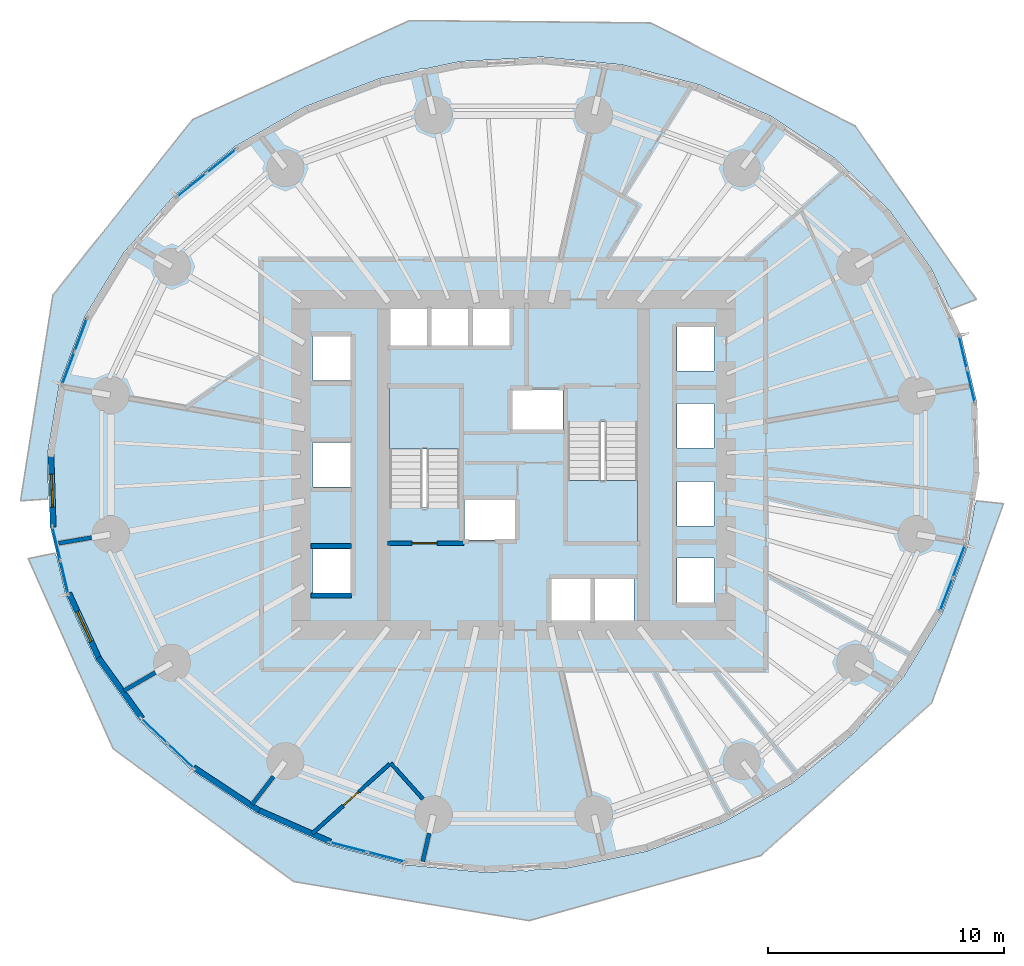
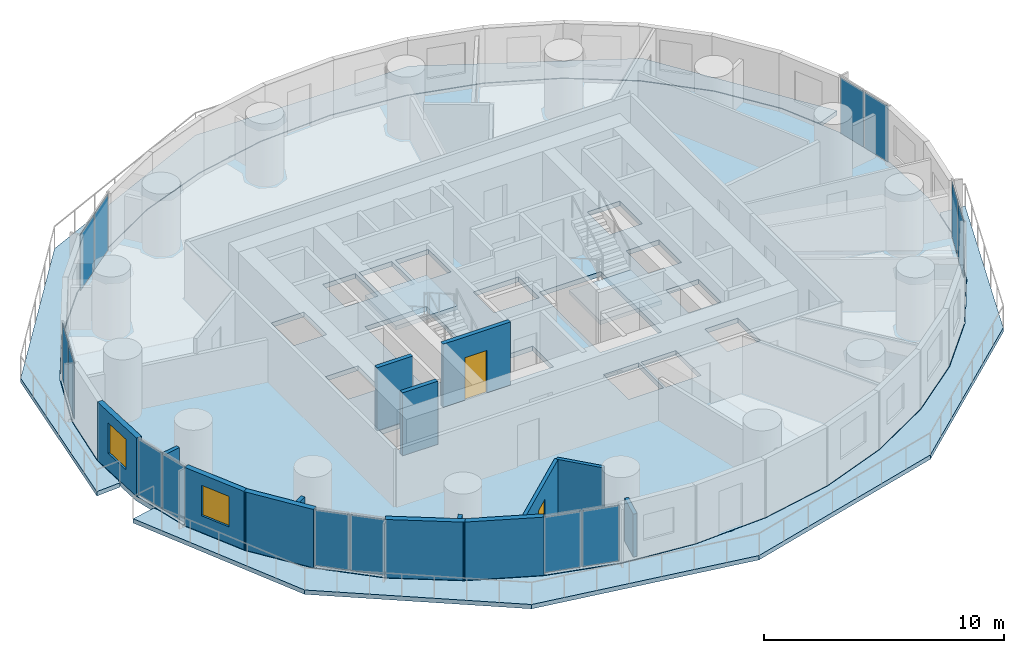
# One storey, part 6 of 14: 14 plates, 14 walls, 5 slabs, 2 doors, 2 windows, 4 openings, 9 elements without a shape of their own.
"""IFC4 building model written with IfcOpenShell, lengths in metres."""

import ifcopenshell
import ifcopenshell.guid

model = None  # the IFC model being written
_history = None  # IfcOwnerHistory: only IFC2X3 demands one
_inside = {}  # id of a spatial element -> (the spatial element, [elements in it])
_under = {}  # id of a project, library or spatial element -> (it, [spatial elements below it])
_declared = {}  # id of a project -> (the project, [libraries it declares])
_typed = {}  # id of a type object -> (the type object, [elements of that type])
_made_of = {}  # id of a material, layer set ... -> (it, [elements and type objects made of it])


def new_model(schema):
    """Start an empty IFC model of exactly this schema.

    Asked for "IFC4X3", IfcOpenShell would pick the latest addendum, in which some entities
    have other attributes; the version numbers below select the first issue.
    IFC2X3 requires an IfcOwnerHistory on every rooted entity: one is made here for all.
    """
    global model, _history
    if schema == "IFC4X3":
        model = ifcopenshell.file(schema_version=(4, 3, 0, 0))
    else:
        model = ifcopenshell.file(schema=schema)
    _inside.clear()
    _under.clear()
    _declared.clear()
    _typed.clear()
    _made_of.clear()
    _history = None
    if model.schema == "IFC2X3":
        org = make("IfcOrganization", Name="unknown")
        user = make(
            "IfcPersonAndOrganization",
            ThePerson=make("IfcPerson", FamilyName="unknown"),
            TheOrganization=org,
        )
        app = make(
            "IfcApplication",
            ApplicationDeveloper=org,
            Version="unknown",
            ApplicationFullName="unknown",
            ApplicationIdentifier="unknown",
        )
        _history = make(
            "IfcOwnerHistory",
            OwningUser=user,
            OwningApplication=app,
            ChangeAction="ADDED",
            CreationDate=0,
        )
    return model


def make(cls, **values):
    """One entity of the class cls with the attributes given. An attribute that is None is left unset."""
    return model.create_entity(
        cls, **{name: value for name, value in values.items() if value is not None}
    )


def rooted(cls, **values):
    """An entity with a GlobalId (a new one), such as an element, a storey or a relation."""
    return make(cls, GlobalId=ifcopenshell.guid.new(), OwnerHistory=_history, **values)


def si_unit(unit_type, name, prefix=None):
    """IfcSIUnit, for example si_unit("LENGTHUNIT", "METRE", prefix="MILLI")."""
    return make("IfcSIUnit", UnitType=unit_type, Prefix=prefix, Name=name)


def assignment(units):
    """IfcUnitAssignment: the units of a project."""
    return None if units is None else make("IfcUnitAssignment", Units=units)


def point(xyz):
    """IfcCartesianPoint."""
    return None if xyz is None else make("IfcCartesianPoint", Coordinates=xyz)


def direction(xyz):
    """IfcDirection."""
    return None if xyz is None else make("IfcDirection", DirectionRatios=xyz)


def frame(location, z_axis=None, x_axis=None):
    """IfcAxis2Placement3D, a coordinate frame: its origin and axes. An axis left out is left unset."""
    return make(
        "IfcAxis2Placement3D",
        Location=point(location),
        Axis=direction(z_axis),
        RefDirection=direction(x_axis),
    )


def frame_2d(location, x_axis=None):
    """IfcAxis2Placement2D, a coordinate frame in the plane: its origin and x axis."""
    return make(
        "IfcAxis2Placement2D", Location=point(location), RefDirection=direction(x_axis)
    )


def origin():
    """The frame at (0, 0, 0) with its axes left unset."""
    return frame((0.0, 0.0, 0.0))


def origin_2d():
    """The frame at (0, 0) in the plane with its x axis left unset."""
    return frame_2d((0.0, 0.0))


def place(relative_to, where):
    """IfcLocalPlacement: puts the frame where relative to a parent placement (None: the world)."""
    return make(
        "IfcLocalPlacement", PlacementRelTo=relative_to, RelativePlacement=where
    )


def context(
    kind, dimensions, precision=None, world=None, true_north=None, identifier=None
):
    """IfcGeometricRepresentationContext, for example the 3D "Model" context."""
    return make(
        "IfcGeometricRepresentationContext",
        ContextIdentifier=identifier,
        ContextType=kind,
        CoordinateSpaceDimension=dimensions,
        Precision=precision,
        WorldCoordinateSystem=world,
        TrueNorth=true_north,
    )


def subcontext(parent, identifier, kind, view, scale=None):
    """IfcGeometricRepresentationSubContext, for example "Body" below "Model"."""
    return make(
        "IfcGeometricRepresentationSubContext",
        ContextIdentifier=identifier,
        ContextType=kind,
        ParentContext=parent,
        TargetScale=scale,
        TargetView=view,
    )


def project(units=None, contexts=None):
    """IfcProject with its units and contexts."""
    return rooted(
        "IfcProject",
        Name="project",
        RepresentationContexts=contexts,
        UnitsInContext=assignment(units),
    )


def spatial(cls, under=None, at=None, **own):
    """A site, building, storey or space (cls), placed at a placement, below another one or the project."""
    s = rooted(cls, ObjectPlacement=at, **own)
    if under is not None:
        _under.setdefault(under.id(), (under, []))[1].append(s)
    return s


def polyline(points):
    """IfcPolyline through the points."""
    return make("IfcPolyline", Points=[point(p) for p in points])


def profile(cls, at=None, kind="AREA", **sizes):
    """A parametric profile (cls). Its sizes go by their IFC names, for example OverallWidth=200.0."""
    return make(cls, ProfileType=kind, Position=at, **sizes)


def rectangle(**sizes):
    """IfcRectangleProfileDef."""
    return profile("IfcRectangleProfileDef", **sizes)


def outline(outer, holes=None, kind="AREA"):
    """IfcArbitraryClosedProfileDef: a profile drawn as a closed curve; with holes, ...WithVoids."""
    if holes is None:
        return make("IfcArbitraryClosedProfileDef", ProfileType=kind, OuterCurve=outer)
    return make(
        "IfcArbitraryProfileDefWithVoids",
        ProfileType=kind,
        OuterCurve=outer,
        InnerCurves=holes,
    )


def extrude(swept, where, along, depth):
    """IfcExtrudedAreaSolid: the profile swept, set in the frame where, extruded along a direction by depth."""
    return make(
        "IfcExtrudedAreaSolid",
        SweptArea=swept,
        Position=where,
        ExtrudedDirection=direction(along),
        Depth=depth,
    )


def shape(context_of_items, identifier, shape_type, items):
    """IfcShapeRepresentation: the items that make up one representation, for example the "Body"."""
    return make(
        "IfcShapeRepresentation",
        ContextOfItems=context_of_items,
        RepresentationIdentifier=identifier,
        RepresentationType=shape_type,
        Items=items,
    )


def material(Name=None, Category=None):
    """IfcMaterial."""
    return make("IfcMaterial", Name=Name, Category=Category)


def layer(
    of_material, thickness, ventilated=None, Name=None, Category=None, Priority=None
):
    """IfcMaterialLayer: one layer of a wall or slab, of a material (None: an air gap)."""
    return make(
        "IfcMaterialLayer",
        Material=of_material,
        LayerThickness=thickness,
        IsVentilated=ventilated,
        Name=Name,
        Category=Category,
        Priority=Priority,
    )


def layer_set(layers, Name=None):
    """IfcMaterialLayerSet."""
    return make("IfcMaterialLayerSet", MaterialLayers=layers, LayerSetName=Name)


def made_of(thing, what):
    """Note that an element or type object is made of a material, layer set ...; save() writes the relation."""
    if what is not None:
        _made_of.setdefault(what.id(), (what, []))[1].append(thing)
    return thing


def type_object(cls, material=None, **own):
    """A type object (cls), such as IfcWallType, which elements share."""
    return made_of(rooted(cls, **own), material)


def element(
    cls,
    number,
    at=None,
    inside=None,
    cuts=None,
    type_object=None,
    material=None,
    context=None,
    identifier="Body",
    shape_type=None,
    held_by="IfcProductDefinitionShape",
    body=None,
    shapes=None,
    **own,
):
    """One element of the class cls, such as IfcWall. Its Tag is "e" and its number.

    at: its placement. inside: the storey or other place that contains it. cuts: it is an
    opening in that element (IfcRelVoidsElement). A single representation is given by context,
    identifier, shape_type and body (its items); several are given by shapes. held_by: the class
    of the entity that holds the representations. save() writes the other relations.
    """
    e = rooted(cls, Tag="e%d" % number, ObjectPlacement=at, **own)
    if body is not None:
        shapes = [shape(context, identifier, shape_type, body)]
    if shapes is not None:
        e.Representation = make(held_by, Representations=shapes)
    if inside is not None:
        _inside.setdefault(inside.id(), (inside, []))[1].append(e)
    if cuts is not None:
        rooted(
            "IfcRelVoidsElement", RelatingBuildingElement=cuts, RelatedOpeningElement=e
        )
    if type_object is not None:
        _typed.setdefault(type_object.id(), (type_object, []))[1].append(e)
    return made_of(e, material)


def fill(opening, filler):
    """IfcRelFillsElement: the door or window that sits in an opening."""
    return rooted(
        "IfcRelFillsElement",
        RelatingOpeningElement=opening,
        RelatedBuildingElement=filler,
    )


def aggregate(whole, parts):
    """IfcRelAggregates: a whole, such as a stair, and the parts it consists of."""
    return rooted("IfcRelAggregates", RelatingObject=whole, RelatedObjects=parts)


def save(model, path):
    """Write the relations noted so far, then the file.

    IfcRelAggregates (storeys below a building ...), IfcRelContainedInSpatialStructure (elements
    in a storey), IfcRelDefinesByType, IfcRelAssociatesMaterial and IfcRelDeclares: one each for
    every whole, place, type object, material and project.
    """
    for whole, parts in _under.values():
        aggregate(whole, parts)
    for where, things in _inside.values():
        rooted(
            "IfcRelContainedInSpatialStructure",
            RelatedElements=things,
            RelatingStructure=where,
        )
    for kind, things in _typed.values():
        rooted("IfcRelDefinesByType", RelatedObjects=things, RelatingType=kind)
    for what, things in _made_of.values():
        rooted("IfcRelAssociatesMaterial", RelatedObjects=things, RelatingMaterial=what)
    for by, libraries in _declared.values():
        rooted("IfcRelDeclares", RelatingContext=by, RelatedDefinitions=libraries)
    model.write(path)


model = new_model("IFC4")

# Units and contexts
model_context = context("Model", 3, precision=1e-05, world=origin(), true_north=direction((0.0, 1.0)))
body_context = subcontext(model_context, "Body", "Model", "MODEL_VIEW")
ifc_project = project(units=[si_unit("LENGTHUNIT", "METRE"), si_unit("AREAUNIT", "SQUARE_METRE"), si_unit("VOLUMEUNIT", "CUBIC_METRE"), si_unit("PLANEANGLEUNIT", "RADIAN"), si_unit("MASSUNIT", "GRAM", prefix="KILO")], contexts=[model_context])

# Site, building, storey
site_placement = place(None, origin())
site = spatial("IfcSite", under=ifc_project, at=site_placement, CompositionType="ELEMENT")
building_placement = place(site_placement, origin())
building = spatial("IfcBuilding", under=site, at=building_placement, Name="Veldorim Arch Residences", CompositionType="ELEMENT")
storey_placement = place(building_placement, frame((0.0, 0.0, 34.39990234375)))
storey = spatial("IfcBuildingStorey", under=building, at=storey_placement, Name="L09", CompositionType="ELEMENT", Elevation=34.39990234375)

# Slabs
ifc_material_1 = material(Name="Concrete C40/50", Category="concrete")
ifc_layer_1 = layer(ifc_material_1, 0.219970703125, Name="Planted Crescent Cantilever Balcony Slab 220")
ifc_layer_set_1 = layer_set([ifc_layer_1], Name="Concrete C40/50")
slab_type_1 = type_object("IfcSlabType", Name="Planted Crescent Cantilever Balcony Slab 220", PredefinedType="FLOOR", material=ifc_layer_set_1)
slab_1_placement = place(storey_placement, frame((0.0, 0.0, -0.219970703125)))
element("IfcSlab", 1, at=slab_1_placement, inside=storey, type_object=slab_type_1, Name="L09 planted crescent balcony slab A", PredefinedType="FLOOR", context=body_context, shape_type="SweptSolid", body=[
    extrude(outline(polyline([(50.406494140625, 30.739013671875), (49.69189453125, 32.292236328125), (47.8857421875, 34.797607421875), (45.596923828125, 36.97509765625), (42.89501953125, 38.7578125), (39.8623046875, 40.09228515625), (36.591064453125, 40.93798828125), (33.180419921875, 41.268798828125), (29.73388671875, 41.075439453125), (28.247802734375, 40.761962890625), (28.050048828125, 40.76171875), (27.86962890625, 40.682373046875), (26.356201171875, 40.36328125), (23.149658203125, 39.154052734375), (20.212158203125, 37.484375), (17.632568359375, 35.405029296875), (15.489501953125, 32.979248046875), (13.84765625, 30.2802734375), (12.7578125, 27.390380859375), (12.252197265625, 24.397216796875), (12.3046875, 22.734619140625), (12.264404296875, 22.548095703125), (11.11669921875, 22.47412109375), (12.486083984375, 31.179931640625), (18.40283203125, 38.614990234375), (27.594970703125, 42.811767578125), (37.791748046875, 42.710205078125), (46.4658203125, 38.35107421875), (51.596435546875, 31.006591796875), (50.525390625, 30.588134765625), (50.406494140625, 30.739013671875)])), origin(), (0.0, 0.0, 1.0), 0.219970703125),
])
slab_2_placement = place(storey_placement, frame((0.0, 0.0, -0.219970703125)))
element("IfcSlab", 2, at=slab_2_placement, inside=storey, type_object=slab_type_1, Name="L09 planted crescent balcony slab B", PredefinedType="FLOOR", context=body_context, shape_type="SweptSolid", body=[
    extrude(outline(polyline([(12.656494140625, 20.08447265625), (13.03955078125, 18.465576171875), (14.30810546875, 15.707763671875), (16.1142578125, 13.202392578125), (18.403076171875, 11.02490234375), (21.10498046875, 9.2421875), (24.1376953125, 7.90771484375), (27.408935546875, 7.06201171875), (30.819580078125, 6.731201171875), (32.364013671875, 6.81787109375), (32.55908203125, 6.7880859375), (32.750244140625, 6.839599609375), (34.26611328125, 6.924560546875), (37.643798828125, 7.63671875), (40.850341796875, 8.845947265625), (43.787841796875, 10.515625), (46.367431640625, 12.594970703125), (48.510498046875, 15.020751953125), (50.15234375, 17.7197265625), (51.2421875, 20.609619140625), (51.527099609375, 22.295654296875), (51.602294921875, 22.471923828125), (52.74560546875, 22.34765625), (49.70849609375, 13.9189453125), (42.4716796875, 7.4482421875), (32.654541015625, 4.6904296875), (22.685791015625, 6.34423828125), (15.03466796875, 11.978759765625), (11.441650390625, 20.02587890625), (12.56884765625, 20.253662109375), (12.656494140625, 20.08447265625)])), origin(), (0.0, 0.0, 1.0), 0.219970703125),
])

# Stair, slab
ifc_material_2 = material(Name="Concrete C40/50", Category="concrete")
stair_type = type_object("IfcStairType", Name="Reinforced Concrete Dogleg Exit Staircase", PredefinedType="HALF_TURN_STAIR", material=ifc_material_2)
stair_1_placement = place(storey_placement, origin())
stair_1 = element("IfcStair", 3, at=stair_1_placement, inside=storey, type_object=stair_type, Name="L09 Exit Staircase ST-1", PredefinedType="HALF_TURN_STAIR")
ifc_material_3 = material(Name="Concrete C40/50", Category="concrete")
ifc_layer_2 = layer(ifc_material_3, 0.199951171875, Name="Reinforced Concrete Stair Landing 200")
ifc_layer_set_2 = layer_set([ifc_layer_2], Name="Concrete C40/50")
slab_type_2 = type_object("IfcSlabType", Name="Reinforced Concrete Stair Landing 200", PredefinedType="LANDING", material=ifc_layer_set_2)
slab_3_placement = place(storey_placement, frame((0.0, 0.0, 1.400146484375)))
slab_3 = element("IfcSlab", 4, at=slab_3_placement, type_object=slab_type_2, Name="ST-1 landing 1", PredefinedType="LANDING", context=body_context, shape_type="SweptSolid", body=[
    extrude(outline(polyline([(29.7099609375, 24.669921875), (29.7099609375, 27.25), (26.75, 27.25), (26.75, 24.669921875), (29.7099609375, 24.669921875)])), origin(), (0.0, 0.0, 1.0), 0.199951171875),
])
aggregate(stair_1, [slab_3])

stair_2_placement = place(storey_placement, origin())
stair_2 = element("IfcStair", 5, at=stair_2_placement, inside=storey, type_object=stair_type, Name="L09 Exit Staircase ST-2", PredefinedType="HALF_TURN_STAIR")
slab_4_placement = place(storey_placement, frame((0.0, 0.0, 1.400146484375)))
slab_4 = element("IfcSlab", 6, at=slab_4_placement, type_object=slab_type_2, Name="ST-2 landing 1", PredefinedType="LANDING", context=body_context, shape_type="SweptSolid", body=[
    extrude(outline(polyline([(34.2900390625, 23.330078125), (34.2900390625, 20.75), (37.25, 20.75), (37.25, 23.330078125), (34.2900390625, 23.330078125)])), origin(), (0.0, 0.0, 1.0), 0.199951171875),
])
aggregate(stair_2, [slab_4])

# Slab
ifc_material_4 = material(Name="Concrete C40/50", Category="concrete")
ifc_layer_3 = layer(ifc_material_4, 0.239990234375, Name="Typical Residential Floor Slab 240")
ifc_layer_set_3 = layer_set([ifc_layer_3], Name="Concrete C40/50")
slab_type_3 = type_object("IfcSlabType", Name="Typical Residential Floor Slab 240", PredefinedType="FLOOR", material=ifc_layer_set_3)
slab_5_placement = place(storey_placement, frame((0.0, 0.0, -0.239990234375)))
element("IfcSlab", 7, at=slab_5_placement, inside=storey, type_object=slab_type_3, Name="L09 tower structural floor slab", PredefinedType="FLOOR", context=body_context, shape_type="SweptSolid", body=[
    extrude(outline(polyline([(51.6279296875, 26.60498046875), (50.936767578125, 29.526123046875), (49.670166015625, 32.279541015625), (47.86669921875, 34.78125), (45.581298828125, 36.955322265625), (42.883056640625, 38.73583984375), (39.854248046875, 40.068603515625), (36.586669921875, 40.9130859375), (33.1796875, 41.243896484375), (29.737060546875, 41.050537109375), (26.363037109375, 40.339111328125), (23.160400390625, 39.13134765625), (20.226318359375, 37.463623046875), (17.64990234375, 35.386962890625), (15.509521484375, 32.96435546875), (13.870361328125, 30.269287109375), (12.781982421875, 27.3837890625), (12.27734375, 24.3955078125), (12.3720703125, 21.39501953125), (13.063232421875, 18.473876953125), (14.329833984375, 15.720458984375), (16.13330078125, 13.21875), (18.418701171875, 11.044677734375), (21.116943359375, 9.26416015625), (24.145751953125, 7.931396484375), (27.413330078125, 7.0869140625), (30.8203125, 6.756103515625), (34.262939453125, 6.949462890625), (37.636962890625, 7.660888671875), (40.839599609375, 8.86865234375), (43.773681640625, 10.536376953125), (46.35009765625, 12.613037109375), (48.490478515625, 15.03564453125), (50.129638671875, 17.730712890625), (51.218017578125, 20.6162109375), (51.72265625, 23.6044921875), (51.6279296875, 26.60498046875)]), holes=[polyline([(23.510009765625, 20.43994140625), (25.090087890625, 20.43994140625), (25.090087890625, 18.56005859375), (23.510009765625, 18.56005859375), (23.510009765625, 20.43994140625)]), polyline([(29.909912109375, 22.544921875), (32.090087890625, 22.544921875), (32.090087890625, 20.81494140625), (29.909912109375, 20.81494140625), (29.909912109375, 22.544921875)]), polyline([(23.510009765625, 24.93994140625), (25.090087890625, 24.93994140625), (25.090087890625, 23.06005859375), (23.510009765625, 23.06005859375), (23.510009765625, 24.93994140625)]), polyline([(26.75, 27.25), (29.7099609375, 27.25), (29.7099609375, 22.195068359375), (26.75, 22.195068359375), (26.75, 27.25)]), polyline([(23.510009765625, 29.43994140625), (25.090087890625, 29.43994140625), (25.090087890625, 27.56005859375), (23.510009765625, 27.56005859375), (23.510009765625, 29.43994140625)]), polyline([(26.760009765625, 30.7900390625), (28.340087890625, 30.7900390625), (28.340087890625, 28.909912109375), (26.760009765625, 28.909912109375), (26.760009765625, 30.7900390625)]), polyline([(28.510009765625, 30.7900390625), (30.090087890625, 30.7900390625), (30.090087890625, 28.909912109375), (28.510009765625, 28.909912109375), (28.510009765625, 30.7900390625)]), polyline([(30.260009765625, 30.7900390625), (31.840087890625, 30.7900390625), (31.840087890625, 28.909912109375), (30.260009765625, 28.909912109375), (30.260009765625, 30.7900390625)]), polyline([(33.610107421875, 19.2900390625), (35.2900390625, 19.2900390625), (35.2900390625, 17.2099609375), (33.610107421875, 17.2099609375), (33.610107421875, 19.2900390625)]), polyline([(35.409912109375, 19.2900390625), (37.090087890625, 19.2900390625), (37.090087890625, 17.2099609375), (35.409912109375, 17.2099609375), (35.409912109375, 19.2900390625)]), polyline([(38.909912109375, 20.0400390625), (40.489990234375, 20.0400390625), (40.489990234375, 18.159912109375), (38.909912109375, 18.159912109375), (38.909912109375, 20.0400390625)]), polyline([(38.909912109375, 23.2900390625), (40.489990234375, 23.2900390625), (40.489990234375, 21.409912109375), (38.909912109375, 21.409912109375), (38.909912109375, 23.2900390625)]), polyline([(34.2900390625, 25.804931640625), (37.25, 25.804931640625), (37.25, 20.75), (34.2900390625, 20.75), (34.2900390625, 25.804931640625)]), polyline([(38.909912109375, 26.590087890625), (40.489990234375, 26.590087890625), (40.489990234375, 24.7099609375), (38.909912109375, 24.7099609375), (38.909912109375, 26.590087890625)]), polyline([(31.909912109375, 27.18505859375), (34.090087890625, 27.18505859375), (34.090087890625, 25.455078125), (31.909912109375, 25.455078125), (31.909912109375, 27.18505859375)]), polyline([(38.909912109375, 29.840087890625), (40.489990234375, 29.840087890625), (40.489990234375, 27.9599609375), (38.909912109375, 27.9599609375), (38.909912109375, 29.840087890625)])]), origin(), (0.0, 0.0, 1.0), 0.239990234375),
])

# Curtain wall, plates
ifc_material_5 = material(Name="Aluminium", Category="aluminium")
curtain_wall_type = type_object("IfcCurtainWallType", Name="Zone 1 Acoustic Low-E Unitised Curtain Wall", PredefinedType="NOTDEFINED", material=ifc_material_5)
curtain_wall_1_placement = place(storey_placement, origin())
curtain_wall_1 = element("IfcCurtainWall", 8, at=curtain_wall_1_placement, inside=storey, type_object=curtain_wall_type, Name="L09 unitised curtain wall bay 01", PredefinedType="NOTDEFINED")
ifc_material_6 = material(Name="Laminated Low-E Glass", Category="glass")
ifc_layer_4 = layer(ifc_material_6, 0.02587890625, Name="Zone 1 Acoustic Low-E Unitised Curtain Wall Glazing Panel 26")
ifc_layer_set_4 = layer_set([ifc_layer_4], Name="Laminated Low-E Glass")
plate_type = type_object("IfcPlateType", Name="Zone 1 Acoustic Low-E Unitised Curtain Wall Glazing Panel 26", PredefinedType="CURTAIN_PANEL", material=ifc_layer_set_4)
plate_1_placement = place(storey_placement, frame((51.025634765625, 28.75927734375, 0.06494140625), z_axis=(0.0, 0.0, 1.0), x_axis=(0.230257196808, -0.973129808051, 0.0)))
plate_1 = element("IfcPlate", 9, at=plate_1_placement, type_object=plate_type, Name="CW-Z1 panel 1.1", PredefinedType="CURTAIN_PANEL", context=body_context, shape_type="SweptSolid", body=[
    extrude(rectangle(XDim=1.4033203125, YDim=0.02587890625, at=origin_2d()), origin(), (0.0, 0.0, 1.0), 2.830078125),
])
plate_2_placement = place(storey_placement, frame((51.36376953125, 27.330322265625, 0.06494140625), z_axis=(0.0, 0.0, 1.0), x_axis=(0.230257196808, -0.973129808051, 0.0)))
plate_2 = element("IfcPlate", 10, at=plate_2_placement, type_object=plate_type, Name="CW-Z1 panel 2.1", PredefinedType="CURTAIN_PANEL", context=body_context, shape_type="SweptSolid", body=[
    extrude(rectangle(XDim=1.4033203125, YDim=0.02587890625, at=origin_2d()), origin(), (0.0, 0.0, 1.0), 2.830078125),
])
aggregate(curtain_wall_1, [plate_1, plate_2])

curtain_wall_2_placement = place(storey_placement, origin())
curtain_wall_2 = element("IfcCurtainWall", 11, at=curtain_wall_2_placement, inside=storey, type_object=curtain_wall_type, Name="L09 unitised curtain wall bay 13", PredefinedType="NOTDEFINED")
plate_3_placement = place(storey_placement, frame((18.363037109375, 35.84619140625, 0.06494140625), z_axis=(0.0, 0.0, 1.0), x_axis=(0.77856687477, 0.627561647578, 0.0)))
plate_3 = element("IfcPlate", 12, at=plate_3_placement, type_object=plate_type, Name="CW-Z1 panel 1.1", PredefinedType="CURTAIN_PANEL", context=body_context, shape_type="SweptSolid", body=[
    extrude(rectangle(XDim=1.55712890625, YDim=0.02587890625, at=origin_2d()), origin(), (0.0, 0.0, 1.0), 2.830078125),
])
plate_4_placement = place(storey_placement, frame((19.6259765625, 36.8642578125, 0.06494140625), z_axis=(0.0, 0.0, 1.0), x_axis=(0.77856687477, 0.627561647578, 0.0)))
plate_4 = element("IfcPlate", 13, at=plate_4_placement, type_object=plate_type, Name="CW-Z1 panel 2.1", PredefinedType="CURTAIN_PANEL", context=body_context, shape_type="SweptSolid", body=[
    extrude(rectangle(XDim=1.55712890625, YDim=0.02587890625, at=origin_2d()), origin(), (0.0, 0.0, 1.0), 2.830078125),
])
aggregate(curtain_wall_2, [plate_3, plate_4])

curtain_wall_3_placement = place(storey_placement, origin())
curtain_wall_3 = element("IfcCurtainWall", 14, at=curtain_wall_3_placement, inside=storey, type_object=curtain_wall_type, Name="L09 unitised curtain wall bay 16", PredefinedType="NOTDEFINED")
plate_5_placement = place(storey_placement, frame((13.14404296875, 28.088623046875, 0.06494140625), z_axis=(0.0, 0.0, 1.0), x_axis=(0.352913725454, 0.9356558675, 0.0)))
plate_5 = element("IfcPlate", 15, at=plate_5_placement, type_object=plate_type, Name="CW-Z1 panel 1.1", PredefinedType="CURTAIN_PANEL", context=body_context, shape_type="SweptSolid", body=[
    extrude(rectangle(XDim=1.444580078125, YDim=0.02587890625, at=origin_2d()), origin(), (0.0, 0.0, 1.0), 2.830078125),
])
plate_6_placement = place(storey_placement, frame((13.6767578125, 29.5009765625, 0.06494140625), z_axis=(0.0, 0.0, 1.0), x_axis=(0.352913725454, 0.9356558675, 0.0)))
plate_6 = element("IfcPlate", 16, at=plate_6_placement, type_object=plate_type, Name="CW-Z1 panel 2.1", PredefinedType="CURTAIN_PANEL", context=body_context, shape_type="SweptSolid", body=[
    extrude(rectangle(XDim=1.444580078125, YDim=0.02587890625, at=origin_2d()), origin(), (0.0, 0.0, 1.0), 2.830078125),
])
aggregate(curtain_wall_3, [plate_5, plate_6])

curtain_wall_4_placement = place(storey_placement, origin())
curtain_wall_4 = element("IfcCurtainWall", 17, at=curtain_wall_4_placement, inside=storey, type_object=curtain_wall_type, Name="L09 unitised curtain wall bay 19", PredefinedType="NOTDEFINED")
plate_7_placement = place(storey_placement, frame((12.974365234375, 19.24072265625, 0.06494140625), z_axis=(0.0, 0.0, 1.0), x_axis=(-0.230257196808, 0.973129808051, 0.0)))
plate_7 = element("IfcPlate", 18, at=plate_7_placement, type_object=plate_type, Name="CW-Z1 panel 1.1", PredefinedType="CURTAIN_PANEL", context=body_context, shape_type="SweptSolid", body=[
    extrude(rectangle(XDim=1.4033203125, YDim=0.02587890625, at=origin_2d()), origin(), (0.0, 0.0, 1.0), 2.830078125),
])
plate_8_placement = place(storey_placement, frame((12.63623046875, 20.669677734375, 0.06494140625), z_axis=(0.0, 0.0, 1.0), x_axis=(-0.230257196808, 0.973129808051, 0.0)))
plate_8 = element("IfcPlate", 19, at=plate_8_placement, type_object=plate_type, Name="CW-Z1 panel 2.1", PredefinedType="CURTAIN_PANEL", context=body_context, shape_type="SweptSolid", body=[
    extrude(rectangle(XDim=1.4033203125, YDim=0.02587890625, at=origin_2d()), origin(), (0.0, 0.0, 1.0), 2.830078125),
])
aggregate(curtain_wall_4, [plate_7, plate_8])

curtain_wall_5_placement = place(storey_placement, origin())
curtain_wall_5 = element("IfcCurtainWall", 20, at=curtain_wall_5_placement, inside=storey, type_object=curtain_wall_type, Name="L09 unitised curtain wall bay 22", PredefinedType="NOTDEFINED")
plate_9_placement = place(storey_placement, frame((17.8974609375, 11.66455078125, 0.06494140625), z_axis=(0.0, 0.0, 1.0), x_axis=(-0.724528330111, 0.689245020922, 0.0)))
plate_9 = element("IfcPlate", 21, at=plate_9_placement, type_object=plate_type, Name="CW-Z1 panel 1.1", PredefinedType="CURTAIN_PANEL", context=body_context, shape_type="SweptSolid", body=[
    extrude(rectangle(XDim=1.479736328125, YDim=0.02587890625, at=origin_2d()), origin(), (0.0, 0.0, 1.0), 2.830078125),
])
plate_10_placement = place(storey_placement, frame((16.7783203125, 12.729248046875, 0.06494140625), z_axis=(0.0, 0.0, 1.0), x_axis=(-0.724528330111, 0.689245020922, 0.0)))
plate_10 = element("IfcPlate", 22, at=plate_10_placement, type_object=plate_type, Name="CW-Z1 panel 2.1", PredefinedType="CURTAIN_PANEL", context=body_context, shape_type="SweptSolid", body=[
    extrude(rectangle(XDim=1.479736328125, YDim=0.02587890625, at=origin_2d()), origin(), (0.0, 0.0, 1.0), 2.830078125),
])
aggregate(curtain_wall_5, [plate_9, plate_10])

curtain_wall_6_placement = place(storey_placement, origin())
curtain_wall_6 = element("IfcCurtainWall", 23, at=curtain_wall_6_placement, inside=storey, type_object=curtain_wall_type, Name="L09 unitised curtain wall bay 25", PredefinedType="NOTDEFINED")
plate_11_placement = place(storey_placement, frame((26.603271484375, 7.38916015625, 0.06494140625), z_axis=(0.0, 0.0, 1.0), x_axis=(-0.968178730436, 0.250259756916, 0.0)))
plate_11 = element("IfcPlate", 24, at=plate_11_placement, type_object=plate_type, Name="CW-Z1 panel 1.1", PredefinedType="CURTAIN_PANEL", context=body_context, shape_type="SweptSolid", body=[
    extrude(rectangle(XDim=1.58984375, YDim=0.02587890625, at=origin_2d()), origin(), (0.0, 0.0, 1.0), 2.830078125),
])
plate_12_placement = place(storey_placement, frame((25.0009765625, 7.80322265625, 0.06494140625), z_axis=(0.0, 0.0, 1.0), x_axis=(-0.968178730436, 0.250259756916, 0.0)))
plate_12 = element("IfcPlate", 25, at=plate_12_placement, type_object=plate_type, Name="CW-Z1 panel 2.1", PredefinedType="CURTAIN_PANEL", context=body_context, shape_type="SweptSolid", body=[
    extrude(rectangle(XDim=1.58984375, YDim=0.02587890625, at=origin_2d()), origin(), (0.0, 0.0, 1.0), 2.830078125),
])
aggregate(curtain_wall_6, [plate_11, plate_12])

curtain_wall_7_placement = place(storey_placement, origin())
curtain_wall_7 = element("IfcCurtainWall", 26, at=curtain_wall_7_placement, inside=storey, type_object=curtain_wall_type, Name="L09 unitised curtain wall bay 34", PredefinedType="NOTDEFINED")
plate_13_placement = place(storey_placement, frame((50.85595703125, 19.911376953125, 0.06494140625), z_axis=(0.0, 0.0, 1.0), x_axis=(-0.352913725454, -0.9356558675, 0.0)))
plate_13 = element("IfcPlate", 27, at=plate_13_placement, type_object=plate_type, Name="CW-Z1 panel 1.1", PredefinedType="CURTAIN_PANEL", context=body_context, shape_type="SweptSolid", body=[
    extrude(rectangle(XDim=1.444580078125, YDim=0.02587890625, at=origin_2d()), origin(), (0.0, 0.0, 1.0), 2.830078125),
])
plate_14_placement = place(storey_placement, frame((50.3232421875, 18.4990234375, 0.06494140625), z_axis=(0.0, 0.0, 1.0), x_axis=(-0.352913725454, -0.9356558675, 0.0)))
plate_14 = element("IfcPlate", 28, at=plate_14_placement, type_object=plate_type, Name="CW-Z1 panel 2.1", PredefinedType="CURTAIN_PANEL", context=body_context, shape_type="SweptSolid", body=[
    extrude(rectangle(XDim=1.444580078125, YDim=0.02587890625, at=origin_2d()), origin(), (0.0, 0.0, 1.0), 2.830078125),
])
aggregate(curtain_wall_7, [plate_13, plate_14])

# Walls
ifc_material_7 = material(Name="Lightweight Masonry Block & Gypsum", Category="masonry")
ifc_layer_5 = layer(ifc_material_7, 0.179931640625, Name="Compartment & Corridor Fire-Rated Party Wall 180")
ifc_layer_set_5 = layer_set([ifc_layer_5], Name="Lightweight Masonry Block & Gypsum")
wall_type_1 = type_object("IfcWallType", Name="Compartment & Corridor Fire-Rated Party Wall 180", PredefinedType="PARTITIONING", material=ifc_layer_set_5)
wall_1_placement = place(storey_placement, frame((14.126220703125, 20.91455078125, 0.0), z_axis=(0.0, 0.0, 1.0), x_axis=(-0.985419363098, -0.170143112797, 0.0)))
element("IfcWall", 29, at=wall_1_placement, inside=storey, type_object=wall_type_1, Name="L09 interior wall WL-PIER-L09-09", PredefinedType="PARTITIONING", context=body_context, shape_type="SweptSolid", body=[
    extrude(rectangle(XDim=1.419189453125, YDim=0.179931640625, at=frame_2d((0.70947265625, 0.0))), origin(), (0.0, 0.0, 1.0), 2.17822265625),
])
wall_2_placement = place(storey_placement, frame((16.822998046875, 15.19970703125, 0.0), z_axis=(0.0, 0.0, 1.0), x_axis=(-0.865036673907, -0.501708633369, 0.0)))
element("IfcWall", 30, at=wall_2_placement, inside=storey, type_object=wall_type_1, Name="L09 interior wall WL-PIER-L09-10", PredefinedType="PARTITIONING", context=body_context, shape_type="SweptSolid", body=[
    extrude(rectangle(XDim=1.54541015625, YDim=0.179931640625, at=frame_2d((0.772705078125, 0.0))), origin(), (0.0, 0.0, 1.0), 2.17822265625),
])
wall_3_placement = place(storey_placement, frame((21.832763671875, 10.795166015625, 0.0), z_axis=(0.0, 0.0, 1.0), x_axis=(-0.609978856004, -0.792417689876, 0.0)))
element("IfcWall", 31, at=wall_3_placement, inside=storey, type_object=wall_type_1, Name="L09 interior wall WL-PIER-L09-11", PredefinedType="PARTITIONING", context=body_context, shape_type="SweptSolid", body=[
    extrude(rectangle(XDim=1.49609375, YDim=0.179931640625, at=frame_2d((0.748046875, 0.0))), origin(), (0.0, 0.0, 1.0), 2.17822265625),
])
wall_4_placement = place(storey_placement, frame((28.422119140625, 8.390869140625, 0.0), z_axis=(0.0, 0.0, 1.0), x_axis=(-0.223317008343, -0.974745871386, 0.0)))
element("IfcWall", 32, at=wall_4_placement, inside=storey, type_object=wall_type_1, Name="L09 interior wall WL-PIER-L09-12", PredefinedType="PARTITIONING", context=body_context, shape_type="SweptSolid", body=[
    extrude(rectangle(XDim=1.2255859375, YDim=0.179931640625, at=frame_2d((0.61279296875, 0.0))), origin(), (0.0, 0.0, 1.0), 2.17822265625),
])

# Wall, opening, door
ifc_material_8 = material(Name="Concrete C50/60", Category="concrete")
ifc_layer_6 = layer(ifc_material_8, 0.199951171875, Name="Core Stair & Lift Shaft Enclosure Wall 200")
ifc_layer_set_6 = layer_set([ifc_layer_6], Name="Concrete C50/60")
wall_type_2 = type_object("IfcWallType", Name="Core Stair & Lift Shaft Enclosure Wall 200", PredefinedType="SHEAR", material=ifc_layer_set_6)
wall_5_placement = place(storey_placement, frame((26.64990234375, 20.669921875, 0.0), z_axis=(0.0, 0.0, 1.0), x_axis=(1.0, 0.0, 0.0)))
wall_5 = element("IfcWall", 33, at=wall_5_placement, inside=storey, type_object=wall_type_2, Name="L09 shaft wall WL-SHF-L09-ST1-S", PredefinedType="SHEAR", context=body_context, shape_type="SweptSolid", body=[
    extrude(rectangle(XDim=3.239990234375, YDim=0.199951171875, at=frame_2d((1.6201171875, 0.0))), origin(), (0.0, 0.0, 1.0), 3.2001953125),
])
opening_1_placement = place(wall_5_placement, frame((1.054931640625, 0.0, 0.0)))
opening_1 = element("IfcOpeningElement", 34, at=opening_1_placement, cuts=wall_5, Name="Opening DR-ST", PredefinedType="OPENING", context=body_context, shape_type="SweptSolid", body=[
    extrude(rectangle(XDim=1.050048828125, YDim=2.14990234375, at=frame_2d((0.52490234375, 1.074951171875))), frame((0.0, 0.10986328125, 0.0), z_axis=(0.0, -1.0, 0.0), x_axis=(1.0, 0.0, 0.0)), (0.0, 0.0, 1.0), 0.219970703125),
])
ifc_material_9 = material(Name="Fire-Rated Steel", Category="steel")
door_type_1 = type_object("IfcDoorType", Name="Exit Staircase Self-Closing Fire Door 1050x2150", OperationType="SINGLE_SWING_LEFT", PredefinedType="DOOR", material=ifc_material_9)
door_1_placement = place(opening_1_placement, origin())
door_1 = element("IfcDoor", 35, at=door_1_placement, inside=storey, type_object=door_type_1, Name="L09 interior door DR-L09-ST1", OperationType="SINGLE_SWING_LEFT", OverallHeight=2.14990234375, OverallWidth=1.050048828125, PredefinedType="DOOR", context=body_context, shape_type="SweptSolid", body=[
    extrude(rectangle(XDim=1.050048828125, YDim=2.14990234375, at=frame_2d((0.52490234375, 1.074951171875))), frame((0.0, 0.02490234375, 0.0), z_axis=(0.0, -1.0, 0.0), x_axis=(1.0, 0.0, 0.0)), (0.0, 0.0, 1.0), 0.050048828125),
])
fill(opening_1, door_1)

# Walls
for number, where, z_axis, x_axis, name in (
    (36, (23.419921875, 18.4599609375, 0.0), (0.0, 0.0, 1.0), (1.0, 0.0, 0.0), "L09 shaft wall WL-B2-L09-S"),
    (37, (23.419921875, 20.56005859375, 0.0), (0.0, 0.0, 1.0), (1.0, 0.0, 0.0), "L09 shaft wall WL-B2-L09-D1A"),
):
    element("IfcWall", number, at=place(storey_placement, frame(where, z_axis=z_axis, x_axis=x_axis)), inside=storey, type_object=wall_type_2, Name=name, PredefinedType="SHEAR", context=body_context, shape_type="SweptSolid", body=[
        extrude(rectangle(XDim=1.7099609375, YDim=0.199951171875, at=frame_2d((0.85498046875, 0.0))), origin(), (0.0, 0.0, 1.0), 3.2001953125),
    ])

# Wall, opening, window
ifc_material_10 = material(Name="Precast concrete C40/50", Category="concrete")
ifc_layer_7 = layer(ifc_material_10, 0.25, Name="Tower Terracotta Spandrel & Pier Wall 250")
ifc_layer_set_7 = layer_set([ifc_layer_7], Name="Precast concrete C40/50")
wall_type_3 = type_object("IfcWallType", Name="Tower Terracotta Spandrel & Pier Wall 250", PredefinedType="SOLIDWALL", material=ifc_layer_set_7)
wall_6_placement = place(storey_placement, frame((12.49853515625, 21.35400390625, 0.0), z_axis=(0.0, 0.0, 1.0), x_axis=(-0.031584802517, 0.999501075662, 0.0)))
wall_6 = element("IfcWall", 38, at=wall_6_placement, inside=storey, type_object=wall_type_3, Name="L09 terracotta facade wall 18", PredefinedType="SOLIDWALL", context=body_context, shape_type="SweptSolid", body=[
    extrude(rectangle(XDim=3.091796875, YDim=0.25, at=frame_2d((1.5458984375, 0.0))), origin(), (0.0, 0.0, 1.0), 2.960205078125),
])
opening_2_placement = place(wall_6_placement, frame((0.845947265625, 0.0, 0.85009765625)))
opening_2 = element("IfcOpeningElement", 39, at=opening_2_placement, cuts=wall_6, Name="Opening WN-02", PredefinedType="OPENING", context=body_context, shape_type="SweptSolid", body=[
    extrude(rectangle(XDim=1.39990234375, YDim=1.550048828125, at=frame_2d((0.699951171875, 0.77490234375))), frame((0.0, 0.135009765625, 0.0), z_axis=(0.0, -1.0, 0.0), x_axis=(1.0, 0.0, 0.0)), (0.0, 0.0, 1.0), 0.27001953125),
])
ifc_material_11 = material(Name="Laminated Low-E Glass", Category="glass")
window_type = type_object("IfcWindowType", Name="Residential Casement Window 1400x1550", PartitioningType="SINGLE_PANEL", PredefinedType="WINDOW", material=ifc_material_11)
window_1_placement = place(opening_2_placement, origin())
window_1 = element("IfcWindow", 40, at=window_1_placement, inside=storey, type_object=window_type, Name="L09 solar-control facade window 18", OverallHeight=1.550048828125, OverallWidth=1.39990234375, PartitioningType="SINGLE_PANEL", PredefinedType="WINDOW", context=body_context, shape_type="SweptSolid", body=[
    extrude(rectangle(XDim=1.39990234375, YDim=1.550048828125, at=frame_2d((0.699951171875, 0.77490234375))), frame((0.0, 0.030029296875, 0.0), z_axis=(0.0, -1.0, 0.0), x_axis=(1.0, 0.0, 0.0)), (0.0, 0.0, 1.0), 0.06005859375),
])
fill(opening_2, window_1)

wall_7_placement = place(storey_placement, frame((14.462158203125, 15.73193359375, 0.0), z_axis=(0.0, 0.0, 1.0), x_axis=(-0.417872029175, 0.908505898293, 0.0)))
wall_7 = element("IfcWall", 41, at=wall_7_placement, inside=storey, type_object=wall_type_3, Name="L09 terracotta facade wall 20", PredefinedType="SOLIDWALL", context=body_context, shape_type="SweptSolid", body=[
    extrude(rectangle(XDim=3.120361328125, YDim=0.25, at=frame_2d((1.56005859375, 0.0))), origin(), (0.0, 0.0, 1.0), 2.960205078125),
])
opening_3_placement = place(wall_7_placement, frame((0.860107421875, 0.0, 0.85009765625)))
opening_3 = element("IfcOpeningElement", 42, at=opening_3_placement, cuts=wall_7, Name="Opening WN-02", PredefinedType="OPENING", context=body_context, shape_type="SweptSolid", body=[
    extrude(rectangle(XDim=1.39990234375, YDim=1.550048828125, at=frame_2d((0.699951171875, 0.77490234375))), frame((0.0, 0.135009765625, 0.0), z_axis=(0.0, -1.0, 0.0), x_axis=(1.0, 0.0, 0.0)), (0.0, 0.0, 1.0), 0.27001953125),
])
window_2_placement = place(opening_3_placement, origin())
window_2 = element("IfcWindow", 43, at=window_2_placement, inside=storey, type_object=window_type, Name="L09 solar-control facade window 20", OverallHeight=1.550048828125, OverallWidth=1.39990234375, PartitioningType="SINGLE_PANEL", PredefinedType="WINDOW", context=body_context, shape_type="SweptSolid", body=[
    extrude(rectangle(XDim=1.39990234375, YDim=1.550048828125, at=frame_2d((0.699951171875, 0.77490234375))), frame((0.0, 0.030029296875, 0.0), z_axis=(0.0, -1.0, 0.0), x_axis=(1.0, 0.0, 0.0)), (0.0, 0.0, 1.0), 0.06005859375),
])
fill(opening_3, window_2)

# Walls
wall_8_placement = place(storey_placement, frame((16.260986328125, 13.25537109375, 0.0), z_axis=(0.0, 0.0, 1.0), x_axis=(-0.584805106467, 0.811173833066, 0.0)))
element("IfcWall", 44, at=wall_8_placement, inside=storey, type_object=wall_type_3, Name="L09 terracotta facade wall 21", PredefinedType="SOLIDWALL", context=body_context, shape_type="SweptSolid", body=[
    extrude(rectangle(XDim=3.174072265625, YDim=0.25, at=frame_2d((1.5869140625, 0.0))), origin(), (0.0, 0.0, 1.0), 2.960205078125),
])
wall_9_placement = place(storey_placement, frame((21.223388671875, 9.343505859375, 0.0), z_axis=(0.0, 0.0, 1.0), x_axis=(-0.834663448541, 0.550760317805, 0.0)))
element("IfcWall", 45, at=wall_9_placement, inside=storey, type_object=wall_type_3, Name="L09 terracotta facade wall 23", PredefinedType="SOLIDWALL", context=body_context, shape_type="SweptSolid", body=[
    extrude(rectangle(XDim=3.32275390625, YDim=0.25, at=frame_2d((1.661376953125, 0.0))), origin(), (0.0, 0.0, 1.0), 2.960205078125),
])
wall_10_placement = place(storey_placement, frame((24.2373046875, 8.027587890625, 0.0), z_axis=(0.0, 0.0, 1.0), x_axis=(-0.915312914138, 0.402743428515, 0.0)))
element("IfcWall", 46, at=wall_10_placement, inside=storey, type_object=wall_type_3, Name="L09 terracotta facade wall 24", PredefinedType="SOLIDWALL", context=body_context, shape_type="SweptSolid", body=[
    extrude(rectangle(XDim=3.39892578125, YDim=0.25, at=frame_2d((1.699462890625, 0.0))), origin(), (0.0, 0.0, 1.0), 2.960205078125),
])
ifc_material_12 = material(Name="Moisture-Resistant Gypsum & Stud", Category="gypsum")
ifc_layer_8 = layer(ifc_material_12, 0.159912109375, Name="Wet-Area Moisture-Resistant Plumbing Wall 160")
ifc_layer_set_8 = layer_set([ifc_layer_8], Name="Moisture-Resistant Gypsum & Stud")
wall_type_4 = type_object("IfcWallType", Name="Wet-Area Moisture-Resistant Plumbing Wall 160", PredefinedType="PLUMBINGWALL", material=ifc_layer_set_8)
wall_11_placement = place(storey_placement, frame((28.164306640625, 9.83740234375, 0.0), z_axis=(0.0, 0.0, 1.0), x_axis=(-0.668451915184, 0.743755361048, 0.0)))
element("IfcWall", 47, at=wall_11_placement, inside=storey, type_object=wall_type_4, Name="L09 interior wall WL-RES-L09-021", PredefinedType="PLUMBINGWALL", context=body_context, shape_type="SweptSolid", body=[
    extrude(rectangle(XDim=2.05224609375, YDim=0.159912109375, at=frame_2d((1.026123046875, 0.0))), origin(), (0.0, 0.0, 1.0), 2.955078125),
])

# Wall, opening, door
wall_12_placement = place(storey_placement, frame((26.747802734375, 11.32373046875, 0.0), z_axis=(0.0, 0.0, 1.0), x_axis=(-0.743726854299, -0.668483631957, 0.0)))
wall_12 = element("IfcWall", 48, at=wall_12_placement, inside=storey, type_object=wall_type_4, Name="L09 interior wall WL-RES-L09-022", PredefinedType="PLUMBINGWALL", context=body_context, shape_type="SweptSolid", body=[
    extrude(rectangle(XDim=4.403076171875, YDim=0.159912109375, at=frame_2d((2.20166015625, 0.0))), origin(), (0.0, 0.0, 1.0), 2.955078125),
])
opening_4_placement = place(wall_12_placement, frame((1.75146484375, 0.0, 0.0)))
opening_4 = element("IfcOpeningElement", 49, at=opening_4_placement, cuts=wall_12, Name="Opening DR-WC", PredefinedType="OPENING", context=body_context, shape_type="SweptSolid", body=[
    extrude(rectangle(XDim=0.89990234375, YDim=2.10009765625, at=frame_2d((0.449951171875, 1.050048828125))), frame((0.0, 0.08984375, 0.0), z_axis=(0.0, -1.0, 0.0), x_axis=(1.0, 0.0, 0.0)), (0.0, 0.0, 1.0), 0.179931640625),
])
ifc_material_13 = material(Name="Laminate Timber", Category="wood")
door_type_2 = type_object("IfcDoorType", Name="Bathroom & Accessible WC Moisture-Sealed Door 900x2100", OperationType="SINGLE_SWING_LEFT", PredefinedType="DOOR", material=ifc_material_13)
door_2_placement = place(opening_4_placement, origin())
door_2 = element("IfcDoor", 50, at=door_2_placement, inside=storey, type_object=door_type_2, Name="L09 interior door DR-RES-L09-015", OperationType="SINGLE_SWING_LEFT", OverallHeight=2.10009765625, OverallWidth=0.89990234375, PredefinedType="DOOR", context=body_context, shape_type="SweptSolid", body=[
    extrude(rectangle(XDim=0.89990234375, YDim=2.10009765625, at=frame_2d((0.449951171875, 1.050048828125))), frame((0.0, 0.02490234375, 0.0), z_axis=(0.0, -1.0, 0.0), x_axis=(1.0, 0.0, 0.0)), (0.0, 0.0, 1.0), 0.050048828125),
])
fill(opening_4, door_2)

save(model, "model.ifc")
